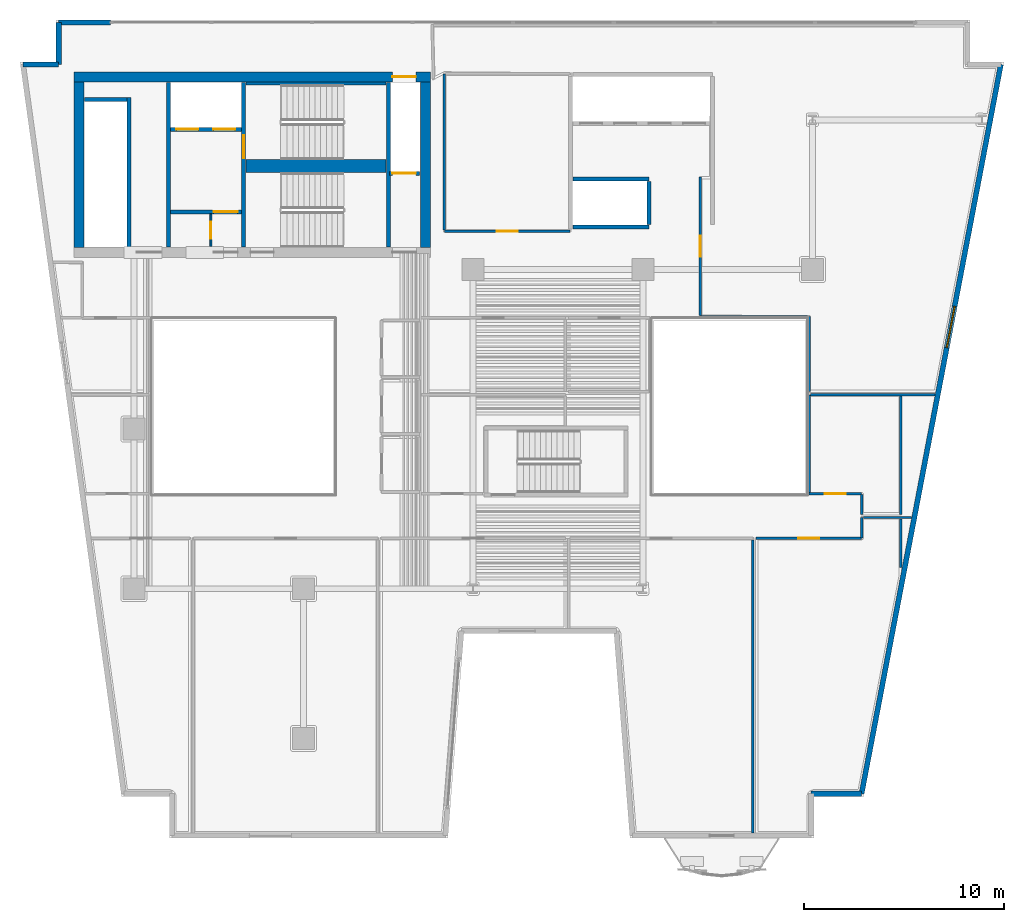
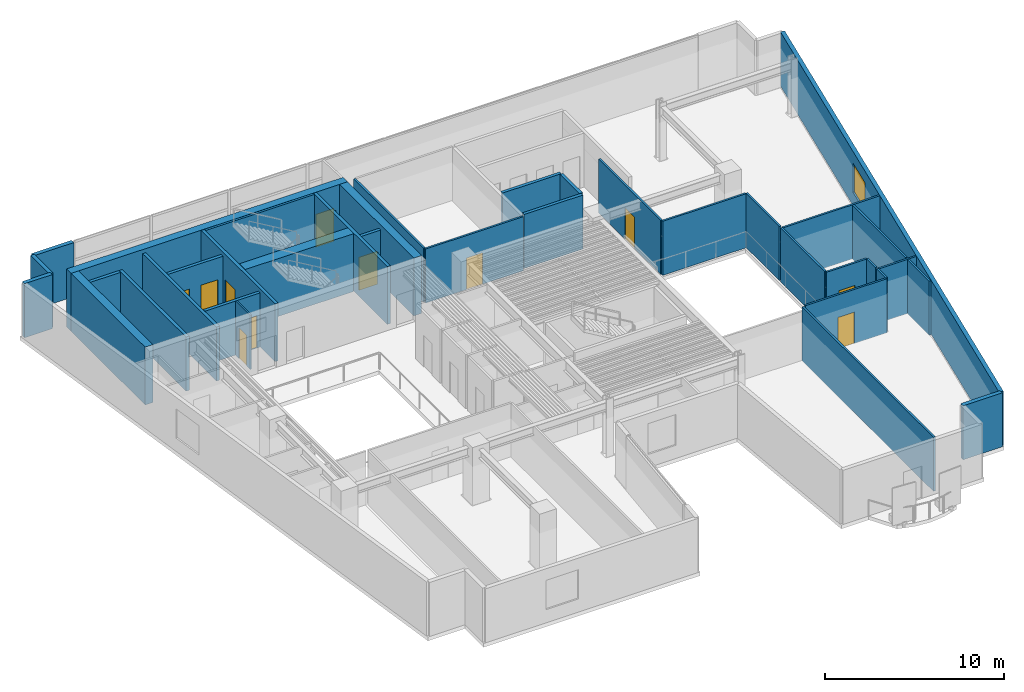
# One storey, part 7 of 13: 37 walls, 11 doors, 1 window, 12 openings.
"""IFC4 building model written with IfcOpenShell, lengths in metres."""

import ifcopenshell
import ifcopenshell.guid

model = None  # the IFC model being written
_history = None  # IfcOwnerHistory: only IFC2X3 demands one
_inside = {}  # id of a spatial element -> (the spatial element, [elements in it])
_under = {}  # id of a project, library or spatial element -> (it, [spatial elements below it])
_declared = {}  # id of a project -> (the project, [libraries it declares])
_typed = {}  # id of a type object -> (the type object, [elements of that type])
_made_of = {}  # id of a material, layer set ... -> (it, [elements and type objects made of it])


def new_model(schema):
    """Start an empty IFC model of exactly this schema.

    Asked for "IFC4X3", IfcOpenShell would pick the latest addendum, in which some entities
    have other attributes; the version numbers below select the first issue.
    IFC2X3 requires an IfcOwnerHistory on every rooted entity: one is made here for all.
    """
    global model, _history
    if schema == "IFC4X3":
        model = ifcopenshell.file(schema_version=(4, 3, 0, 0))
    else:
        model = ifcopenshell.file(schema=schema)
    _inside.clear()
    _under.clear()
    _declared.clear()
    _typed.clear()
    _made_of.clear()
    _history = None
    if model.schema == "IFC2X3":
        org = make("IfcOrganization", Name="unknown")
        user = make(
            "IfcPersonAndOrganization",
            ThePerson=make("IfcPerson", FamilyName="unknown"),
            TheOrganization=org,
        )
        app = make(
            "IfcApplication",
            ApplicationDeveloper=org,
            Version="unknown",
            ApplicationFullName="unknown",
            ApplicationIdentifier="unknown",
        )
        _history = make(
            "IfcOwnerHistory",
            OwningUser=user,
            OwningApplication=app,
            ChangeAction="ADDED",
            CreationDate=0,
        )
    return model


def make(cls, **values):
    """One entity of the class cls with the attributes given. An attribute that is None is left unset."""
    return model.create_entity(
        cls, **{name: value for name, value in values.items() if value is not None}
    )


def rooted(cls, **values):
    """An entity with a GlobalId (a new one), such as an element, a storey or a relation."""
    return make(cls, GlobalId=ifcopenshell.guid.new(), OwnerHistory=_history, **values)


def si_unit(unit_type, name, prefix=None):
    """IfcSIUnit, for example si_unit("LENGTHUNIT", "METRE", prefix="MILLI")."""
    return make("IfcSIUnit", UnitType=unit_type, Prefix=prefix, Name=name)


def assignment(units):
    """IfcUnitAssignment: the units of a project."""
    return None if units is None else make("IfcUnitAssignment", Units=units)


def point(xyz):
    """IfcCartesianPoint."""
    return None if xyz is None else make("IfcCartesianPoint", Coordinates=xyz)


def direction(xyz):
    """IfcDirection."""
    return None if xyz is None else make("IfcDirection", DirectionRatios=xyz)


def frame(location, z_axis=None, x_axis=None):
    """IfcAxis2Placement3D, a coordinate frame: its origin and axes. An axis left out is left unset."""
    return make(
        "IfcAxis2Placement3D",
        Location=point(location),
        Axis=direction(z_axis),
        RefDirection=direction(x_axis),
    )


def frame_2d(location, x_axis=None):
    """IfcAxis2Placement2D, a coordinate frame in the plane: its origin and x axis."""
    return make(
        "IfcAxis2Placement2D", Location=point(location), RefDirection=direction(x_axis)
    )


def origin():
    """The frame at (0, 0, 0) with its axes left unset."""
    return frame((0.0, 0.0, 0.0))


def place(relative_to, where):
    """IfcLocalPlacement: puts the frame where relative to a parent placement (None: the world)."""
    return make(
        "IfcLocalPlacement", PlacementRelTo=relative_to, RelativePlacement=where
    )


def context(
    kind, dimensions, precision=None, world=None, true_north=None, identifier=None
):
    """IfcGeometricRepresentationContext, for example the 3D "Model" context."""
    return make(
        "IfcGeometricRepresentationContext",
        ContextIdentifier=identifier,
        ContextType=kind,
        CoordinateSpaceDimension=dimensions,
        Precision=precision,
        WorldCoordinateSystem=world,
        TrueNorth=true_north,
    )


def subcontext(parent, identifier, kind, view, scale=None):
    """IfcGeometricRepresentationSubContext, for example "Body" below "Model"."""
    return make(
        "IfcGeometricRepresentationSubContext",
        ContextIdentifier=identifier,
        ContextType=kind,
        ParentContext=parent,
        TargetScale=scale,
        TargetView=view,
    )


def project(units=None, contexts=None):
    """IfcProject with its units and contexts."""
    return rooted(
        "IfcProject",
        Name="project",
        RepresentationContexts=contexts,
        UnitsInContext=assignment(units),
    )


def spatial(cls, under=None, at=None, **own):
    """A site, building, storey or space (cls), placed at a placement, below another one or the project."""
    s = rooted(cls, ObjectPlacement=at, **own)
    if under is not None:
        _under.setdefault(under.id(), (under, []))[1].append(s)
    return s


def profile(cls, at=None, kind="AREA", **sizes):
    """A parametric profile (cls). Its sizes go by their IFC names, for example OverallWidth=200.0."""
    return make(cls, ProfileType=kind, Position=at, **sizes)


def rectangle(**sizes):
    """IfcRectangleProfileDef."""
    return profile("IfcRectangleProfileDef", **sizes)


def extrude(swept, where, along, depth):
    """IfcExtrudedAreaSolid: the profile swept, set in the frame where, extruded along a direction by depth."""
    return make(
        "IfcExtrudedAreaSolid",
        SweptArea=swept,
        Position=where,
        ExtrudedDirection=direction(along),
        Depth=depth,
    )


def shape(context_of_items, identifier, shape_type, items):
    """IfcShapeRepresentation: the items that make up one representation, for example the "Body"."""
    return make(
        "IfcShapeRepresentation",
        ContextOfItems=context_of_items,
        RepresentationIdentifier=identifier,
        RepresentationType=shape_type,
        Items=items,
    )


def material(Name=None, Category=None):
    """IfcMaterial."""
    return make("IfcMaterial", Name=Name, Category=Category)


def layer(
    of_material, thickness, ventilated=None, Name=None, Category=None, Priority=None
):
    """IfcMaterialLayer: one layer of a wall or slab, of a material (None: an air gap)."""
    return make(
        "IfcMaterialLayer",
        Material=of_material,
        LayerThickness=thickness,
        IsVentilated=ventilated,
        Name=Name,
        Category=Category,
        Priority=Priority,
    )


def layer_set(layers, Name=None):
    """IfcMaterialLayerSet."""
    return make("IfcMaterialLayerSet", MaterialLayers=layers, LayerSetName=Name)


def made_of(thing, what):
    """Note that an element or type object is made of a material, layer set ...; save() writes the relation."""
    if what is not None:
        _made_of.setdefault(what.id(), (what, []))[1].append(thing)
    return thing


def type_object(cls, material=None, **own):
    """A type object (cls), such as IfcWallType, which elements share."""
    return made_of(rooted(cls, **own), material)


def element(
    cls,
    number,
    at=None,
    inside=None,
    cuts=None,
    type_object=None,
    material=None,
    context=None,
    identifier="Body",
    shape_type=None,
    held_by="IfcProductDefinitionShape",
    body=None,
    shapes=None,
    **own,
):
    """One element of the class cls, such as IfcWall. Its Tag is "e" and its number.

    at: its placement. inside: the storey or other place that contains it. cuts: it is an
    opening in that element (IfcRelVoidsElement). A single representation is given by context,
    identifier, shape_type and body (its items); several are given by shapes. held_by: the class
    of the entity that holds the representations. save() writes the other relations.
    """
    e = rooted(cls, Tag="e%d" % number, ObjectPlacement=at, **own)
    if body is not None:
        shapes = [shape(context, identifier, shape_type, body)]
    if shapes is not None:
        e.Representation = make(held_by, Representations=shapes)
    if inside is not None:
        _inside.setdefault(inside.id(), (inside, []))[1].append(e)
    if cuts is not None:
        rooted(
            "IfcRelVoidsElement", RelatingBuildingElement=cuts, RelatedOpeningElement=e
        )
    if type_object is not None:
        _typed.setdefault(type_object.id(), (type_object, []))[1].append(e)
    return made_of(e, material)


def fill(opening, filler):
    """IfcRelFillsElement: the door or window that sits in an opening."""
    return rooted(
        "IfcRelFillsElement",
        RelatingOpeningElement=opening,
        RelatedBuildingElement=filler,
    )


def aggregate(whole, parts):
    """IfcRelAggregates: a whole, such as a stair, and the parts it consists of."""
    return rooted("IfcRelAggregates", RelatingObject=whole, RelatedObjects=parts)


def save(model, path):
    """Write the relations noted so far, then the file.

    IfcRelAggregates (storeys below a building ...), IfcRelContainedInSpatialStructure (elements
    in a storey), IfcRelDefinesByType, IfcRelAssociatesMaterial and IfcRelDeclares: one each for
    every whole, place, type object, material and project.
    """
    for whole, parts in _under.values():
        aggregate(whole, parts)
    for where, things in _inside.values():
        rooted(
            "IfcRelContainedInSpatialStructure",
            RelatedElements=things,
            RelatingStructure=where,
        )
    for kind, things in _typed.values():
        rooted("IfcRelDefinesByType", RelatedObjects=things, RelatingType=kind)
    for what, things in _made_of.values():
        rooted("IfcRelAssociatesMaterial", RelatedObjects=things, RelatingMaterial=what)
    for by, libraries in _declared.values():
        rooted("IfcRelDeclares", RelatingContext=by, RelatedDefinitions=libraries)
    model.write(path)


model = new_model("IFC4")

# Units and contexts
model_context = context("Model", 3, precision=1e-05, world=origin(), true_north=direction((0.0, 1.0)))
body_context = subcontext(model_context, "Body", "Model", "MODEL_VIEW")
ifc_project = project(units=[si_unit("LENGTHUNIT", "METRE"), si_unit("AREAUNIT", "SQUARE_METRE"), si_unit("VOLUMEUNIT", "CUBIC_METRE"), si_unit("PLANEANGLEUNIT", "RADIAN"), si_unit("MASSUNIT", "GRAM", prefix="KILO")], contexts=[model_context])

# Site, building, storey
site_placement = place(None, origin())
site = spatial("IfcSite", under=ifc_project, at=site_placement, CompositionType="ELEMENT")
building_placement = place(site_placement, origin())
building = spatial("IfcBuilding", under=site, at=building_placement, Name="Caeloran Harvest Quay", CompositionType="ELEMENT")
storey_placement = place(building_placement, frame((0.0, 0.0, 166.699951171875)))
storey = spatial("IfcBuildingStorey", under=building, at=storey_placement, Name="L39", CompositionType="ELEMENT", Elevation=166.699951171875)

# Walls
ifc_material_1 = material(Name="Precast concrete C50/60", Category="concrete")
ifc_layer_1 = layer(ifc_material_1, 0.260009765625, Name="Precast concrete C50/60")
ifc_layer_set_1 = layer_set([ifc_layer_1], Name="Precast concrete C50/60")
wall_type_1 = type_object("IfcWallType", Name="ENV-WALL-EW-260", PredefinedType="STANDARD", material=ifc_layer_set_1)
wall_1_placement = place(storey_placement, frame((2.939697265625, 41.27001953125, 0.0), z_axis=(0.0, 0.0, 1.0), x_axis=(1.0, 0.0, 0.0)))
element("IfcWall", 1, at=wall_1_placement, inside=storey, type_object=wall_type_1, Name="L39 Exterior Precast Concrete Facade Wall 4", PredefinedType="STANDARD", context=body_context, shape_type="SweptSolid", body=[
    extrude(rectangle(XDim=1.790283203125, YDim=0.260009765625, at=frame_2d((0.89501953125, 0.0))), origin(), (0.0, 0.0, 1.0), 3.68994140625),
])
wall_2_placement = place(storey_placement, frame((4.72998046875, 41.27001953125, 0.0), z_axis=(0.0, 0.0, 1.0), x_axis=(0.0, 1.0, 0.0)))
element("IfcWall", 2, at=wall_2_placement, inside=storey, type_object=wall_type_1, Name="L39 Exterior Precast Concrete Facade Wall 5", PredefinedType="STANDARD", context=body_context, shape_type="SweptSolid", body=[
    extrude(rectangle(XDim=2.10009765625, YDim=0.260009765625, at=frame_2d((1.050048828125, 0.0))), origin(), (0.0, 0.0, 1.0), 3.68994140625),
])
wall_3_placement = place(storey_placement, frame((4.72998046875, 43.3701171875, 0.0), z_axis=(0.0, 0.0, 1.0), x_axis=(1.0, 0.0, 0.0)))
element("IfcWall", 3, at=wall_3_placement, inside=storey, type_object=wall_type_1, Name="L39 Exterior Facade Corner Pier Wall 6A", PredefinedType="STANDARD", context=body_context, shape_type="SweptSolid", body=[
    extrude(rectangle(XDim=2.60009765625, YDim=0.260009765625, at=frame_2d((1.300048828125, 0.0))), origin(), (0.0, 0.0, 1.0), 3.68994140625),
])

# Wall, opening, window
wall_4_placement = place(storey_placement, frame((51.94189453125, 41.27001953125, 0.0), z_axis=(0.0, 0.0, 1.0), x_axis=(-0.187592192405, -0.982247000173, 0.0)))
wall_4 = element("IfcWall", 4, at=wall_4_placement, inside=storey, type_object=wall_type_1, Name="L39 Exterior Precast Concrete Facade Wall 9", PredefinedType="STANDARD", context=body_context, shape_type="SweptSolid", body=[
    extrude(rectangle(XDim=37.200439453125, YDim=0.260009765625, at=frame_2d((18.60009765625, 0.0))), origin(), (0.0, 0.0, 1.0), 3.68994140625),
])
opening_1_placement = place(wall_4_placement, frame((12.342041015625, 0.0, 0.89990234375)))
opening_1 = element("IfcOpeningElement", 5, at=opening_1_placement, cuts=wall_4, Name="Opening W-06", PredefinedType="OPENING", context=body_context, shape_type="SweptSolid", body=[
    extrude(rectangle(XDim=2.10009765625, YDim=2.0, at=frame_2d((1.050048828125, 1.0))), frame((0.0, 0.14013671875, 0.0), z_axis=(0.0, -1.0, 0.0), x_axis=(1.0, 0.0, 0.0)), (0.0, 0.0, 1.0), 0.280029296875),
])
ifc_material_2 = material(Name="Aluminium-Framed Low-E Laminated Glass", Category="aluminium")
window_type = type_object("IfcWindowType", Name="WIN-W-06", PartitioningType="DOUBLE_PANEL_VERTICAL", PredefinedType="WINDOW", material=ifc_material_2)
window_placement = place(opening_1_placement, origin())
window = element("IfcWindow", 6, at=window_placement, inside=storey, type_object=window_type, Name="L39 Facade Punched Window W-06", OverallHeight=2.0, OverallWidth=2.10009765625, PartitioningType="DOUBLE_PANEL_VERTICAL", PredefinedType="WINDOW", context=body_context, shape_type="SweptSolid", body=[
    extrude(rectangle(XDim=2.10009765625, YDim=2.0, at=frame_2d((1.050048828125, 1.0))), frame((0.0, 0.030029296875, 0.0), z_axis=(0.0, -1.0, 0.0), x_axis=(1.0, 0.0, 0.0)), (0.0, 0.0, 1.0), 0.06005859375),
])
fill(opening_1, window)

# Wall
wall_5_placement = place(storey_placement, frame((44.96337890625, 4.72998046875, 0.0), z_axis=(0.0, 0.0, 1.0), x_axis=(-1.0, 0.0, 0.0)))
element("IfcWall", 7, at=wall_5_placement, inside=storey, type_object=wall_type_1, Name="L39 Exterior Precast Concrete Facade Wall 10", PredefinedType="STANDARD", context=body_context, shape_type="SweptSolid", body=[
    extrude(rectangle(XDim=2.5234375, YDim=0.260009765625, at=frame_2d((1.26171875, 0.0))), origin(), (0.0, 0.0, 1.0), 3.68994140625),
])

# Wall, opening, door
ifc_material_3 = material(Name="Fire-Resisting Gypsum Core Riser Partition", Category="gypsum")
ifc_layer_2 = layer(ifc_material_3, 0.10009765625, Name="Fire-Resisting Gypsum Core Riser Partition")
ifc_layer_set_2 = layer_set([ifc_layer_2], Name="Fire-Resisting Gypsum Core Riser Partition")
wall_type_2 = type_object("IfcWallType", Name="INT-WALL-PW-100", PredefinedType="PARTITIONING", material=ifc_layer_set_2)
wall_6_placement = place(storey_placement, frame((12.360107421875, 32.159912109375, 0.0), z_axis=(0.0, 0.0, 1.0), x_axis=(0.0, 1.0, 0.0)))
wall_6 = element("IfcWall", 8, at=wall_6_placement, inside=storey, type_object=wall_type_2, Name="L39 Core Store Partition Wall", PredefinedType="PARTITIONING", context=body_context, shape_type="SweptSolid", body=[
    extrude(rectangle(XDim=1.6201171875, YDim=0.10009765625, at=frame_2d((0.81005859375, 0.0))), origin(), (0.0, 0.0, 1.0), 3.68994140625),
])
opening_2_placement = place(wall_6_placement, frame((0.3798828125, 0.0, 0.0)))
opening_2 = element("IfcOpeningElement", 9, at=opening_2_placement, cuts=wall_6, Name="Opening SV-01", PredefinedType="OPENING", context=body_context, shape_type="SweptSolid", body=[
    extrude(rectangle(XDim=0.85009765625, YDim=2.10009765625, at=frame_2d((0.425048828125, 1.050048828125))), frame((0.0, 0.06005859375, 0.0), z_axis=(0.0, -1.0, 0.0), x_axis=(1.0, 0.0, 0.0)), (0.0, 0.0, 1.0), 0.1201171875),
])
ifc_material_4 = material(Name="Galvanized Painted Steel", Category="steel")
door_type_1 = type_object("IfcDoorType", Name="INTDOOR-SV-01", OperationType="NOTDEFINED", PredefinedType="DOOR", material=ifc_material_4)
door_1_placement = place(opening_2_placement, origin())
door_1 = element("IfcDoor", 10, at=door_1_placement, inside=storey, type_object=door_type_1, Name="L39 Core Service Room Access Door", OperationType="SINGLE_SWING_RIGHT", OverallHeight=2.10009765625, OverallWidth=0.85009765625, PredefinedType="DOOR", context=body_context, shape_type="SweptSolid", body=[
    extrude(rectangle(XDim=0.85009765625, YDim=2.10009765625, at=frame_2d((0.425048828125, 1.050048828125))), frame((0.0, 0.02490234375, 0.0), z_axis=(0.0, -1.0, 0.0), x_axis=(1.0, 0.0, 0.0)), (0.0, 0.0, 1.0), 0.050048828125),
])
fill(opening_2, door_1)

ifc_material_5 = material(Name="Twin-Stud Mineral-Wool Acoustic Gypsum Partition", Category="gypsum")
ifc_layer_3 = layer(ifc_material_5, 0.125, Name="Twin-Stud Mineral-Wool Acoustic Gypsum Partition")
ifc_layer_set_3 = layer_set([ifc_layer_3], Name="Twin-Stud Mineral-Wool Acoustic Gypsum Partition")
wall_type_3 = type_object("IfcWallType", Name="INT-WALL-PW-125", PredefinedType="PARTITIONING", material=ifc_layer_set_3)
wall_7_placement = place(storey_placement, frame((30.35009765625, 32.919921875, 0.0), z_axis=(0.0, 0.0, 1.0), x_axis=(-1.0, 0.0, 0.0)))
wall_7 = element("IfcWall", 11, at=wall_7_placement, inside=storey, type_object=wall_type_3, Name="L39 Bioinformatics and Crop Phenotyping Laboratory Partition Wall", PredefinedType="PARTITIONING", context=body_context, shape_type="SweptSolid", body=[
    extrude(rectangle(XDim=6.300048828125, YDim=0.125, at=frame_2d((3.14990234375, 0.0))), origin(), (0.0, 0.0, 1.0), 3.68994140625),
])
opening_3_placement = place(wall_7_placement, frame((2.625, 0.0, 0.0)))
opening_3 = element("IfcOpeningElement", 12, at=opening_3_placement, cuts=wall_7, Name="Opening ID-03", PredefinedType="OPENING", context=body_context, shape_type="SweptSolid", body=[
    extrude(rectangle(XDim=1.050048828125, YDim=2.14990234375, at=frame_2d((0.52490234375, 1.074951171875))), frame((0.0, 0.072509765625, 0.0), z_axis=(0.0, -1.0, 0.0), x_axis=(1.0, 0.0, 0.0)), (0.0, 0.0, 1.0), 0.14501953125),
])
ifc_material_6 = material(Name="FSC Solid-Core Oak Timber Leaf", Category="wood")
door_type_2 = type_object("IfcDoorType", Name="INTDOOR-ID-03", OperationType="NOTDEFINED", PredefinedType="DOOR", material=ifc_material_6)
door_2_placement = place(opening_3_placement, origin())
door_2 = element("IfcDoor", 13, at=door_2_placement, inside=storey, type_object=door_type_2, Name="L39 Bioinformatics and Crop Phenotyping Laboratory Access Door", OperationType="SINGLE_SWING_LEFT", OverallHeight=2.14990234375, OverallWidth=1.050048828125, PredefinedType="DOOR", context=body_context, shape_type="SweptSolid", body=[
    extrude(rectangle(XDim=1.050048828125, YDim=2.14990234375, at=frame_2d((0.52490234375, 1.074951171875))), frame((0.0, 0.02490234375, 0.0), z_axis=(0.0, -1.0, 0.0), x_axis=(1.0, 0.0, 0.0)), (0.0, 0.0, 1.0), 0.050048828125),
])
fill(opening_3, door_2)

# Walls
wall_8_placement = place(storey_placement, frame((24.050048828125, 32.987548828125, 0.0), z_axis=(0.0, 0.0, 1.0), x_axis=(0.0, 1.0, 0.0)))
element("IfcWall", 14, at=wall_8_placement, inside=storey, type_object=wall_type_3, Name="L39 Bioinformatics and Crop Phenotyping Laboratory Partition Wall", PredefinedType="PARTITIONING", context=body_context, shape_type="SweptSolid", body=[
    extrude(rectangle(XDim=7.8125, YDim=0.125, at=frame_2d((3.90625, 0.0))), origin(), (0.0, 0.0, 1.0), 3.68994140625),
])
wall_9_placement = place(storey_placement, frame((39.52001953125, 17.452392578125, 0.0), z_axis=(0.0, 0.0, 1.0), x_axis=(0.0, -1.0, 0.0)))
element("IfcWall", 15, at=wall_9_placement, inside=storey, type_object=wall_type_3, Name="Carbon Credit Seminar Room Partition Wall", PredefinedType="PARTITIONING", context=body_context, shape_type="SweptSolid", body=[
    extrude(rectangle(XDim=14.6875, YDim=0.125, at=frame_2d((7.34375, 0.0))), origin(), (0.0, 0.0, 1.0), 3.68994140625),
])
wall_10_placement = place(storey_placement, frame((44.97998046875, 17.550048828125, 0.0), z_axis=(0.0, 0.0, 1.0), x_axis=(0.0, 1.0, 0.0)))
element("IfcWall", 16, at=wall_10_placement, inside=storey, type_object=wall_type_3, Name="Commodities Briefing Boardroom Partition Wall", PredefinedType="PARTITIONING", context=body_context, shape_type="SweptSolid", body=[
    extrude(rectangle(XDim=1.02001953125, YDim=0.125, at=frame_2d((0.510009765625, 0.0))), origin(), (0.0, 0.0, 1.0), 3.68994140625),
])
wall_11_placement = place(storey_placement, frame((45.047607421875, 18.570068359375, 0.0), z_axis=(0.0, 0.0, 1.0), x_axis=(1.0, 0.0, 0.0)))
element("IfcWall", 17, at=wall_11_placement, inside=storey, type_object=wall_type_3, Name="Commodities Briefing Boardroom Partition Wall", PredefinedType="PARTITIONING", context=body_context, shape_type="SweptSolid", body=[
    extrude(rectangle(XDim=2.421630859375, YDim=0.125, at=frame_2d((1.2109375, 0.0))), origin(), (0.0, 0.0, 1.0), 3.68994140625),
])
wall_12_placement = place(storey_placement, frame((46.919921875, 18.50244140625, 0.0), z_axis=(0.0, 0.0, 1.0), x_axis=(0.0, -1.0, 0.0)))
element("IfcWall", 18, at=wall_12_placement, inside=storey, type_object=wall_type_3, Name="Commodities Briefing Boardroom Partition Wall", PredefinedType="PARTITIONING", context=body_context, shape_type="SweptSolid", body=[
    extrude(rectangle(XDim=2.4375, YDim=0.125, at=frame_2d((1.21875, 0.0))), origin(), (0.0, 0.0, 1.0), 3.68994140625),
])

# Wall, opening, door
wall_13_placement = place(storey_placement, frame((39.679931640625, 17.52001953125, 0.0), z_axis=(0.0, 0.0, 1.0), x_axis=(1.0, 0.0, 0.0)))
wall_13 = element("IfcWall", 19, at=wall_13_placement, inside=storey, type_object=wall_type_3, Name="Commodities Briefing Boardroom Partition Wall", PredefinedType="PARTITIONING", context=body_context, shape_type="SweptSolid", body=[
    extrude(rectangle(XDim=5.27001953125, YDim=0.125, at=frame_2d((2.635009765625, 0.0))), origin(), (0.0, 0.0, 1.0), 3.68994140625),
])
opening_4_placement = place(wall_13_placement, frame((2.110107421875, 0.0, 0.0)))
opening_4 = element("IfcOpeningElement", 20, at=opening_4_placement, cuts=wall_13, Name="Opening ID-03", PredefinedType="OPENING", context=body_context, shape_type="SweptSolid", body=[
    extrude(rectangle(XDim=1.050048828125, YDim=2.14990234375, at=frame_2d((0.52490234375, 1.074951171875))), frame((0.0, 0.072509765625, 0.0), z_axis=(0.0, -1.0, 0.0), x_axis=(1.0, 0.0, 0.0)), (0.0, 0.0, 1.0), 0.14501953125),
])
door_3_placement = place(opening_4_placement, origin())
door_3 = element("IfcDoor", 21, at=door_3_placement, inside=storey, type_object=door_type_2, Name="Commodities Briefing Boardroom Access Door", OperationType="SINGLE_SWING_LEFT", OverallHeight=2.14990234375, OverallWidth=1.050048828125, PredefinedType="DOOR", context=body_context, shape_type="SweptSolid", body=[
    extrude(rectangle(XDim=1.050048828125, YDim=2.14990234375, at=frame_2d((0.52490234375, 1.074951171875))), frame((0.0, 0.02490234375, 0.0), z_axis=(0.0, -1.0, 0.0), x_axis=(1.0, 0.0, 0.0)), (0.0, 0.0, 1.0), 0.050048828125),
])
fill(opening_4, door_3)

wall_14_placement = place(storey_placement, frame((44.949951171875, 19.75, 0.0), z_axis=(0.0, 0.0, 1.0), x_axis=(-1.0, 0.0, 0.0)))
wall_14 = element("IfcWall", 22, at=wall_14_placement, inside=storey, type_object=wall_type_3, Name="Satellite Archive Library Lounge Partition Wall", PredefinedType="PARTITIONING", context=body_context, shape_type="SweptSolid", body=[
    extrude(rectangle(XDim=2.619873046875, YDim=0.125, at=frame_2d((1.31005859375, 0.0))), origin(), (0.0, 0.0, 1.0), 3.68994140625),
])
opening_5_placement = place(wall_14_placement, frame((0.784912109375, 0.0, 0.0)))
opening_5 = element("IfcOpeningElement", 23, at=opening_5_placement, cuts=wall_14, Name="Opening ID-03", PredefinedType="OPENING", context=body_context, shape_type="SweptSolid", body=[
    extrude(rectangle(XDim=1.050048828125, YDim=2.14990234375, at=frame_2d((0.52490234375, 1.074951171875))), frame((0.0, 0.072509765625, 0.0), z_axis=(0.0, -1.0, 0.0), x_axis=(1.0, 0.0, 0.0)), (0.0, 0.0, 1.0), 0.14501953125),
])
door_4_placement = place(opening_5_placement, origin())
door_4 = element("IfcDoor", 24, at=door_4_placement, inside=storey, type_object=door_type_2, Name="Satellite Archive Library Lounge Access Door", OperationType="SINGLE_SWING_RIGHT", OverallHeight=2.14990234375, OverallWidth=1.050048828125, PredefinedType="DOOR", context=body_context, shape_type="SweptSolid", body=[
    extrude(rectangle(XDim=1.050048828125, YDim=2.14990234375, at=frame_2d((0.52490234375, 1.074951171875))), frame((0.0, 0.02490234375, 0.0), z_axis=(0.0, -1.0, 0.0), x_axis=(1.0, 0.0, 0.0)), (0.0, 0.0, 1.0), 0.050048828125),
])
fill(opening_5, door_4)

# Walls
wall_15_placement = place(storey_placement, frame((42.330078125, 19.8173828125, 0.0), z_axis=(0.0, 0.0, 1.0), x_axis=(0.0, 1.0, 0.0)))
element("IfcWall", 25, at=wall_15_placement, inside=storey, type_object=wall_type_3, Name="Satellite Archive Library Lounge Partition Wall", PredefinedType="PARTITIONING", context=body_context, shape_type="SweptSolid", body=[
    extrude(rectangle(XDim=4.902587890625, YDim=0.125, at=frame_2d((2.451171875, 0.0))), origin(), (0.0, 0.0, 1.0), 3.68994140625),
])
wall_16_placement = place(storey_placement, frame((42.3974609375, 24.719970703125, 0.0), z_axis=(0.0, 0.0, 1.0), x_axis=(1.0, 0.0, 0.0)))
element("IfcWall", 26, at=wall_16_placement, inside=storey, type_object=wall_type_3, Name="Satellite Archive Library Lounge Partition Wall", PredefinedType="PARTITIONING", context=body_context, shape_type="SweptSolid", body=[
    extrude(rectangle(XDim=6.246337890625, YDim=0.125, at=frame_2d((3.123046875, 0.0))), origin(), (0.0, 0.0, 1.0), 3.68994140625),
])
wall_17_placement = place(storey_placement, frame((46.919921875, 24.652587890625, 0.0), z_axis=(0.0, 0.0, 1.0), x_axis=(0.0, -1.0, 0.0)))
element("IfcWall", 27, at=wall_17_placement, inside=storey, type_object=wall_type_3, Name="Satellite Archive Library Lounge Partition Wall", PredefinedType="PARTITIONING", context=body_context, shape_type="SweptSolid", body=[
    extrude(rectangle(XDim=5.922607421875, YDim=0.125, at=frame_2d((2.96142578125, 0.0))), origin(), (0.0, 0.0, 1.0), 3.68994140625),
])
wall_18_placement = place(storey_placement, frame((44.97998046875, 18.72998046875, 0.0), z_axis=(0.0, 0.0, 1.0), x_axis=(0.0, 1.0, 0.0)))
element("IfcWall", 28, at=wall_18_placement, inside=storey, type_object=wall_type_3, Name="Satellite Archive Library Lounge Partition Wall", PredefinedType="PARTITIONING", context=body_context, shape_type="SweptSolid", body=[
    extrude(rectangle(XDim=0.989990234375, YDim=0.125, at=frame_2d((0.4951171875, 0.0))), origin(), (0.0, 0.0, 1.0), 3.68994140625),
])
wall_19_placement = place(storey_placement, frame((42.330078125, 24.8798828125, 0.0), z_axis=(0.0, 0.0, 1.0), x_axis=(0.0, 1.0, 0.0)))
element("IfcWall", 29, at=wall_19_placement, inside=storey, type_object=wall_type_3, Name="Hospitality Catering Kitchen 12 Partition Wall", PredefinedType="PARTITIONING", context=body_context, shape_type="SweptSolid", body=[
    extrude(rectangle(XDim=3.75, YDim=0.125, at=frame_2d((1.875, 0.0))), origin(), (0.0, 0.0, 1.0), 3.68994140625),
])
wall_20_placement = place(storey_placement, frame((42.262451171875, 28.6298828125, 0.0), z_axis=(0.0, 0.0, 1.0), x_axis=(-1.0, 0.0, 0.0)))
element("IfcWall", 30, at=wall_20_placement, inside=storey, type_object=wall_type_3, Name="Hospitality Catering Kitchen 12 Partition Wall", PredefinedType="PARTITIONING", context=body_context, shape_type="SweptSolid", body=[
    extrude(rectangle(XDim=5.382568359375, YDim=0.125, at=frame_2d((2.69140625, 0.0))), origin(), (0.0, 0.0, 1.0), 3.68994140625),
])

# Wall, opening, door
wall_21_placement = place(storey_placement, frame((36.8798828125, 28.697509765625, 0.0), z_axis=(0.0, 0.0, 1.0), x_axis=(0.0, 1.0, 0.0)))
wall_21 = element("IfcWall", 31, at=wall_21_placement, inside=storey, type_object=wall_type_3, Name="Hospitality Catering Kitchen 12 Partition Wall", PredefinedType="PARTITIONING", context=body_context, shape_type="SweptSolid", body=[
    extrude(rectangle(XDim=6.922607421875, YDim=0.125, at=frame_2d((3.46142578125, 0.0))), origin(), (0.0, 0.0, 1.0), 3.68994140625),
])
opening_6_placement = place(wall_21_placement, frame((2.936279296875, 0.0, 0.0)))
opening_6 = element("IfcOpeningElement", 32, at=opening_6_placement, cuts=wall_21, Name="Opening ID-03", PredefinedType="OPENING", context=body_context, shape_type="SweptSolid", body=[
    extrude(rectangle(XDim=1.050048828125, YDim=2.14990234375, at=frame_2d((0.52490234375, 1.074951171875))), frame((0.0, 0.072509765625, 0.0), z_axis=(0.0, -1.0, 0.0), x_axis=(1.0, 0.0, 0.0)), (0.0, 0.0, 1.0), 0.14501953125),
])
door_5_placement = place(opening_6_placement, origin())
door_5 = element("IfcDoor", 33, at=door_5_placement, inside=storey, type_object=door_type_2, Name="Hospitality Catering Kitchen 12 Access Door", OperationType="SINGLE_SWING_RIGHT", OverallHeight=2.14990234375, OverallWidth=1.050048828125, PredefinedType="DOOR", context=body_context, shape_type="SweptSolid", body=[
    extrude(rectangle(XDim=1.050048828125, YDim=2.14990234375, at=frame_2d((0.52490234375, 1.074951171875))), frame((0.0, 0.02490234375, 0.0), z_axis=(0.0, -1.0, 0.0), x_axis=(1.0, 0.0, 0.0)), (0.0, 0.0, 1.0), 0.050048828125),
])
fill(opening_6, door_5)

# Walls
ifc_material_7 = material(Name="Concrete C50/60", Category="concrete")
ifc_layer_4 = layer(ifc_material_7, 0.199951171875, Name="Concrete C50/60")
ifc_layer_set_4 = layer_set([ifc_layer_4], Name="Concrete C50/60")
wall_type_4 = type_object("IfcWallType", Name="INT-WALL-SW-200", PredefinedType="PARTITIONING", material=ifc_layer_set_4)
wall_22_placement = place(storey_placement, frame((8.260009765625, 32.1201171875, 0.0), z_axis=(0.0, 0.0, 1.0), x_axis=(0.0, 1.0, 0.0)))
element("IfcWall", 34, at=wall_22_placement, inside=storey, type_object=wall_type_4, Name="L39 Bank 3 Lift Shaft Wall", PredefinedType="PARTITIONING", context=body_context, shape_type="SweptSolid", body=[
    extrude(rectangle(XDim=7.5, YDim=0.199951171875, at=frame_2d((3.75, 0.0))), origin(), (0.0, 0.0, 1.0), 3.68994140625),
])
wall_23_placement = place(storey_placement, frame((6.02001953125, 39.52001953125, 0.0), z_axis=(0.0, 0.0, 1.0), x_axis=(1.0, 0.0, 0.0)))
element("IfcWall", 35, at=wall_23_placement, inside=storey, type_object=wall_type_4, Name="L39 Bank 3 Lift Shaft North End Wall", PredefinedType="PARTITIONING", context=body_context, shape_type="SweptSolid", body=[
    extrude(rectangle(XDim=2.119873046875, YDim=0.199951171875, at=frame_2d((1.06005859375, 0.0))), origin(), (0.0, 0.0, 1.0), 3.68994140625),
])
wall_24_placement = place(storey_placement, frame((10.219970703125, 32.1201171875, 0.0), z_axis=(0.0, 0.0, 1.0), x_axis=(0.0, 1.0, 0.0)))
element("IfcWall", 36, at=wall_24_placement, inside=storey, type_object=wall_type_4, Name="L39 Core Lobby Compartment Wall", PredefinedType="PARTITIONING", context=body_context, shape_type="SweptSolid", body=[
    extrude(rectangle(XDim=8.259765625, YDim=0.199951171875, at=frame_2d((4.1298828125, 0.0))), origin(), (0.0, 0.0, 1.0), 3.68994140625),
])

# Wall, openings, doors
wall_25_placement = place(storey_placement, frame((10.340087890625, 38.02001953125, 0.0), z_axis=(0.0, 0.0, 1.0), x_axis=(1.0, 0.0, 0.0)))
wall_25 = element("IfcWall", 37, at=wall_25_placement, inside=storey, type_object=wall_type_4, Name="L39 Firefighting Lift Shaft Wall", PredefinedType="PARTITIONING", context=body_context, shape_type="SweptSolid", body=[
    extrude(rectangle(XDim=3.539794921875, YDim=0.199951171875, at=frame_2d((1.77001953125, 0.0))), origin(), (0.0, 0.0, 1.0), 3.68994140625),
])
opening_7_placement = place(wall_25_placement, frame((0.284912109375, 0.0, 0.0)))
opening_7 = element("IfcOpeningElement", 38, at=opening_7_placement, cuts=wall_25, Name="Opening LD-01", PredefinedType="OPENING", context=body_context, shape_type="SweptSolid", body=[
    extrude(rectangle(XDim=1.10009765625, YDim=2.199951171875, at=frame_2d((0.550048828125, 1.10009765625))), frame((0.0, 0.10986328125, 0.0), z_axis=(0.0, -1.0, 0.0), x_axis=(1.0, 0.0, 0.0)), (0.0, 0.0, 1.0), 0.219970703125),
])
opening_8_placement = place(wall_25_placement, frame((2.135009765625, 0.0, 0.0)))
opening_8 = element("IfcOpeningElement", 39, at=opening_8_placement, cuts=wall_25, Name="Opening LD-01", PredefinedType="OPENING", context=body_context, shape_type="SweptSolid", body=[
    extrude(rectangle(XDim=1.10009765625, YDim=2.199951171875, at=frame_2d((0.550048828125, 1.10009765625))), frame((0.0, 0.10986328125, 0.0), z_axis=(0.0, -1.0, 0.0), x_axis=(1.0, 0.0, 0.0)), (0.0, 0.0, 1.0), 0.219970703125),
])
ifc_material_8 = material(Name="Stainless Steel Grade 316", Category="steel")
door_type_3 = type_object("IfcDoorType", Name="INTDOOR-LD-01", OperationType="NOTDEFINED", PredefinedType="DOOR", material=ifc_material_8)
door_6_placement = place(opening_7_placement, origin())
door_6 = element("IfcDoor", 40, at=door_6_placement, inside=storey, type_object=door_type_3, Name="Lift FF-1 Sliding Landing Door (L39)", OperationType="DOUBLE_DOOR_SLIDING", OverallHeight=2.199951171875, OverallWidth=1.10009765625, PredefinedType="DOOR", context=body_context, shape_type="SweptSolid", body=[
    extrude(rectangle(XDim=1.10009765625, YDim=2.199951171875, at=frame_2d((0.550048828125, 1.10009765625))), frame((0.0, 0.02490234375, 0.0), z_axis=(0.0, -1.0, 0.0), x_axis=(1.0, 0.0, 0.0)), (0.0, 0.0, 1.0), 0.050048828125),
])
fill(opening_7, door_6)
door_7_placement = place(opening_8_placement, origin())
door_7 = element("IfcDoor", 41, at=door_7_placement, inside=storey, type_object=door_type_3, Name="Lift FF-2 Sliding Landing Door (L39)", OperationType="DOUBLE_DOOR_SLIDING", OverallHeight=2.199951171875, OverallWidth=1.10009765625, PredefinedType="DOOR", context=body_context, shape_type="SweptSolid", body=[
    extrude(rectangle(XDim=1.10009765625, YDim=2.199951171875, at=frame_2d((0.550048828125, 1.10009765625))), frame((0.0, 0.02490234375, 0.0), z_axis=(0.0, -1.0, 0.0), x_axis=(1.0, 0.0, 0.0)), (0.0, 0.0, 1.0), 0.050048828125),
])
fill(opening_8, door_7)

# Wall, opening, door
wall_26_placement = place(storey_placement, frame((10.340087890625, 33.8798828125, 0.0), z_axis=(0.0, 0.0, 1.0), x_axis=(1.0, 0.0, 0.0)))
wall_26 = element("IfcWall", 42, at=wall_26_placement, inside=storey, type_object=wall_type_4, Name="L39 Firefighting Lift Lobby Enclosure Wall", PredefinedType="PARTITIONING", context=body_context, shape_type="SweptSolid", body=[
    extrude(rectangle(XDim=3.559814453125, YDim=0.199951171875, at=frame_2d((1.77978515625, 0.0))), origin(), (0.0, 0.0, 1.0), 3.68994140625),
])
opening_9_placement = place(wall_26_placement, frame((2.14990234375, 0.0, 0.0)))
opening_9 = element("IfcOpeningElement", 43, at=opening_9_placement, cuts=wall_26, Name="Opening FD-01", PredefinedType="OPENING", context=body_context, shape_type="SweptSolid", body=[
    extrude(rectangle(XDim=1.199951171875, YDim=2.199951171875, at=frame_2d((0.60009765625, 1.10009765625))), frame((0.0, 0.10986328125, 0.0), z_axis=(0.0, -1.0, 0.0), x_axis=(1.0, 0.0, 0.0)), (0.0, 0.0, 1.0), 0.219970703125),
])
ifc_material_9 = material(Name="Steel", Category="steel")
door_type_4 = type_object("IfcDoorType", Name="INTDOOR-FD-01", OperationType="NOTDEFINED", PredefinedType="DOOR", material=ifc_material_9)
door_8_placement = place(opening_9_placement, origin())
door_8 = element("IfcDoor", 44, at=door_8_placement, inside=storey, type_object=door_type_4, Name="L39 Firefighting Lift Lobby Smoke-Seal Fire Door", OperationType="SINGLE_SWING_LEFT", OverallHeight=2.199951171875, OverallWidth=1.199951171875, PredefinedType="DOOR", context=body_context, shape_type="SweptSolid", body=[
    extrude(rectangle(XDim=1.199951171875, YDim=2.199951171875, at=frame_2d((0.60009765625, 1.10009765625))), frame((0.0, 0.02490234375, 0.0), z_axis=(0.0, -1.0, 0.0), x_axis=(1.0, 0.0, 0.0)), (0.0, 0.0, 1.0), 0.050048828125),
])
fill(opening_9, door_8)

wall_27_placement = place(storey_placement, frame((21.300048828125, 35.820068359375, 0.0), z_axis=(0.0, 0.0, 1.0), x_axis=(1.0, 0.0, 0.0)))
wall_27 = element("IfcWall", 45, at=wall_27_placement, inside=storey, type_object=wall_type_4, Name="L39 Service Lift SV-2 Shaft Wall", PredefinedType="PARTITIONING", context=body_context, shape_type="SweptSolid", body=[
    extrude(rectangle(XDim=1.5, YDim=0.199951171875, at=frame_2d((0.75, 0.0))), origin(), (0.0, 0.0, 1.0), 3.68994140625),
])
opening_10_placement = place(wall_27_placement, frame((0.14501953125, 0.0, 0.0)))
opening_10 = element("IfcOpeningElement", 46, at=opening_10_placement, cuts=wall_27, Name="Opening LD-02", PredefinedType="OPENING", context=body_context, shape_type="SweptSolid", body=[
    extrude(rectangle(XDim=1.179931640625, YDim=2.25, at=frame_2d((0.58984375, 1.125))), frame((0.0, 0.10986328125, 0.0), z_axis=(0.0, -1.0, 0.0), x_axis=(1.0, 0.0, 0.0)), (0.0, 0.0, 1.0), 0.219970703125),
])
door_type_5 = type_object("IfcDoorType", Name="INTDOOR-LD-02", OperationType="NOTDEFINED", PredefinedType="DOOR", material=ifc_material_8)
door_9_placement = place(opening_10_placement, origin())
door_9 = element("IfcDoor", 47, at=door_9_placement, inside=storey, type_object=door_type_5, Name="Lift SV-2 Sliding Landing Door (L39)", OperationType="DOUBLE_DOOR_SLIDING", OverallHeight=2.25, OverallWidth=1.179931640625, PredefinedType="DOOR", context=body_context, shape_type="SweptSolid", body=[
    extrude(rectangle(XDim=1.179931640625, YDim=2.25, at=frame_2d((0.58984375, 1.125))), frame((0.0, 0.02490234375, 0.0), z_axis=(0.0, -1.0, 0.0), x_axis=(1.0, 0.0, 0.0)), (0.0, 0.0, 1.0), 0.050048828125),
])
fill(opening_10, door_9)

# Walls
for number, where, z_axis, x_axis, name in (
    (48, (30.5, 35.530029296875, 0.0), (0.0, 0.0, 1.0), (1.0, 0.0, 0.0), "L39 Shuttle Lift Landing Front Wall"),
    (49, (30.5, 33.1201171875, 0.0), (0.0, 0.0, 1.0), (1.0, 0.0, 0.0), "L39 Shuttle Lift Shaft South Wall"),
):
    element("IfcWall", number, at=place(storey_placement, frame(where, z_axis=z_axis, x_axis=x_axis)), inside=storey, type_object=wall_type_4, Name=name, PredefinedType="PARTITIONING", context=body_context, shape_type="SweptSolid", body=[
        extrude(rectangle(XDim=3.800048828125, YDim=0.199951171875, at=frame_2d((1.89990234375, 0.0))), origin(), (0.0, 0.0, 1.0), 3.68994140625),
    ])
wall_28_placement = place(storey_placement, frame((34.300048828125, 33.239990234375, 0.0), z_axis=(0.0, 0.0, 1.0), x_axis=(0.0, 1.0, 0.0)))
element("IfcWall", 50, at=wall_28_placement, inside=storey, type_object=wall_type_4, Name="L39 Shuttle Lift Shaft East Wall", PredefinedType="PARTITIONING", context=body_context, shape_type="SweptSolid", body=[
    extrude(rectangle(XDim=2.169921875, YDim=0.199951171875, at=frame_2d((1.0849609375, 0.0))), origin(), (0.0, 0.0, 1.0), 3.68994140625),
])

# Wall, opening, door
ifc_material_10 = material(Name="Concrete C70/85", Category="concrete")
ifc_layer_5 = layer(ifc_material_10, 0.5, Name="Concrete C70/85")
ifc_layer_set_5 = layer_set([ifc_layer_5], Name="Concrete C70/85")
wall_type_5 = type_object("IfcWallType", Name="STR-WALL-CW-500", PredefinedType="SHEAR", material=ifc_layer_set_5)
wall_29_placement = place(storey_placement, frame((5.5, 40.64990234375, 0.0), z_axis=(0.0, 0.0, 1.0), x_axis=(1.0, 0.0, 0.0)))
wall_29 = element("IfcWall", 51, at=wall_29_placement, inside=storey, type_object=wall_type_5, Name="L39 Rear Core Shear Wall N", PredefinedType="SHEAR", context=body_context, shape_type="SweptSolid", body=[
    extrude(rectangle(XDim=17.85009765625, YDim=0.5, at=frame_2d((8.925048828125, 0.0))), origin(), (0.0, 0.0, 1.0), 3.949951171875),
])
opening_11_placement = place(wall_29_placement, frame((15.945068359375, 0.0, 0.0)))
opening_11 = element("IfcOpeningElement", 52, at=opening_11_placement, cuts=wall_29, Name="Opening LD-02", PredefinedType="OPENING", context=body_context, shape_type="SweptSolid", body=[
    extrude(rectangle(XDim=1.179931640625, YDim=2.25, at=frame_2d((0.58984375, 1.125))), frame((0.0, 0.260009765625, 0.0), z_axis=(0.0, -1.0, 0.0), x_axis=(1.0, 0.0, 0.0)), (0.0, 0.0, 1.0), 0.52001953125),
])
door_10_placement = place(opening_11_placement, origin())
door_10 = element("IfcDoor", 53, at=door_10_placement, inside=storey, type_object=door_type_5, Name="Lift SV-1 Sliding Landing Door (L39)", OperationType="DOUBLE_DOOR_SLIDING", OverallHeight=2.25, OverallWidth=1.179931640625, PredefinedType="DOOR", context=body_context, shape_type="SweptSolid", body=[
    extrude(rectangle(XDim=1.179931640625, YDim=2.25, at=frame_2d((0.58984375, 1.125))), frame((0.0, 0.02490234375, 0.0), z_axis=(0.0, -1.0, 0.0), x_axis=(1.0, 0.0, 0.0)), (0.0, 0.0, 1.0), 0.050048828125),
])
fill(opening_11, door_10)

# Walls
for number, where, z_axis, x_axis, name in (
    (54, (5.75, 32.10009765625, 0.0), (0.0, 0.0, 1.0), (0.0, 1.0, 0.0), "L39 Rear Core Shear Wall W"),
    (55, (23.10009765625, 32.10009765625, 0.0), (0.0, 0.0, 1.0), (0.0, 1.0, 0.0), "L39 Rear Core Shear Wall E"),
):
    element("IfcWall", number, at=place(storey_placement, frame(where, z_axis=z_axis, x_axis=x_axis)), inside=storey, type_object=wall_type_5, Name=name, PredefinedType="SHEAR", context=body_context, shape_type="SweptSolid", body=[
        extrude(rectangle(XDim=8.2998046875, YDim=0.5, at=frame_2d((4.14990234375, 0.0))), origin(), (0.0, 0.0, 1.0), 3.949951171875),
    ])
ifc_material_11 = material(Name="Concrete C60/75", Category="concrete")
ifc_layer_6 = layer(ifc_material_11, 0.64990234375, Name="Concrete C60/75")
ifc_layer_set_6 = layer_set([ifc_layer_6], Name="Concrete C60/75")
wall_type_6 = type_object("IfcWallType", Name="STR-WALL-CW-650", PredefinedType="SHEAR", material=ifc_layer_set_6)
wall_30_placement = place(storey_placement, frame((14.1201171875, 36.175048828125, 0.0), z_axis=(0.0, 0.0, 1.0), x_axis=(1.0, 0.0, 0.0)))
element("IfcWall", 56, at=wall_30_placement, inside=storey, type_object=wall_type_6, Name="L39 Core Stairs Dividing Shear Wall", PredefinedType="SHEAR", context=body_context, shape_type="SweptSolid", body=[
    extrude(rectangle(XDim=7.009765625, YDim=0.64990234375, at=frame_2d((3.5048828125, 0.0))), origin(), (0.0, 0.0, 1.0), 3.949951171875),
])
ifc_layer_7 = layer(ifc_material_11, 0.139892578125, Name="Concrete C60/75")
ifc_layer_set_7 = layer_set([ifc_layer_7], Name="Concrete C60/75")
wall_type_7 = type_object("IfcWallType", Name="STR-WALL-SW-140", PredefinedType="SHEAR", material=ifc_layer_set_7)
wall_31_placement = place(storey_placement, frame((14.1201171875, 40.320068359375, 0.0), z_axis=(0.0, 0.0, 1.0), x_axis=(1.0, 0.0, 0.0)))
element("IfcWall", 57, at=wall_31_placement, inside=storey, type_object=wall_type_7, Name="L39 Core Stair ST-C1 North Bearing Shear Wall", PredefinedType="SHEAR", context=body_context, shape_type="SweptSolid", body=[
    extrude(rectangle(XDim=7.009765625, YDim=0.139892578125, at=frame_2d((3.5048828125, 0.0))), origin(), (0.0, 0.0, 1.0), 3.949951171875),
])

# Wall, opening, door
ifc_layer_8 = layer(ifc_material_11, 0.199951171875, Name="Concrete C60/75")
ifc_layer_set_8 = layer_set([ifc_layer_8], Name="Concrete C60/75")
wall_type_8 = type_object("IfcWallType", Name="STR-WALL-SW-200", PredefinedType="SHEAR", material=ifc_layer_set_8)
wall_32_placement = place(storey_placement, frame((14.0, 32.1201171875, 0.0), z_axis=(0.0, 0.0, 1.0), x_axis=(0.0, 1.0, 0.0)))
wall_32 = element("IfcWall", 58, at=wall_32_placement, inside=storey, type_object=wall_type_8, Name="L39 Core Stair Shaft West Shear Wall", PredefinedType="SHEAR", context=body_context, shape_type="SweptSolid", body=[
    extrude(rectangle(XDim=8.259765625, YDim=0.199951171875, at=frame_2d((4.1298828125, 0.0))), origin(), (0.0, 0.0, 1.0), 3.949951171875),
])
opening_12_placement = place(wall_32_placement, frame((4.4599609375, 0.0, 0.0)))
opening_12 = element("IfcOpeningElement", 59, at=opening_12_placement, cuts=wall_32, Name="Opening SD-01", PredefinedType="OPENING", context=body_context, shape_type="SweptSolid", body=[
    extrude(rectangle(XDim=1.14990234375, YDim=2.199951171875, at=frame_2d((0.574951171875, 1.10009765625))), frame((0.0, 0.10986328125, 0.0), z_axis=(0.0, -1.0, 0.0), x_axis=(1.0, 0.0, 0.0)), (0.0, 0.0, 1.0), 0.219970703125),
])
door_type_6 = type_object("IfcDoorType", Name="INTDOOR-SD-01", OperationType="NOTDEFINED", PredefinedType="DOOR", material=ifc_material_9)
door_11_placement = place(opening_12_placement, origin())
door_11 = element("IfcDoor", 60, at=door_11_placement, inside=storey, type_object=door_type_6, Name="L39 Protected Stair ST-C1 Exit Door", OperationType="SINGLE_SWING_LEFT", OverallHeight=2.199951171875, OverallWidth=1.14990234375, PredefinedType="DOOR", context=body_context, shape_type="SweptSolid", body=[
    extrude(rectangle(XDim=1.14990234375, YDim=2.199951171875, at=frame_2d((0.574951171875, 1.10009765625))), frame((0.0, 0.02490234375, 0.0), z_axis=(0.0, -1.0, 0.0), x_axis=(1.0, 0.0, 0.0)), (0.0, 0.0, 1.0), 0.050048828125),
])
fill(opening_12, door_11)

# Wall
wall_33_placement = place(storey_placement, frame((21.25, 32.1201171875, 0.0), z_axis=(0.0, 0.0, 1.0), x_axis=(0.0, 1.0, 0.0)))
element("IfcWall", 61, at=wall_33_placement, inside=storey, type_object=wall_type_8, Name="L39 Core Stair Shaft East Shear Wall", PredefinedType="SHEAR", context=body_context, shape_type="SweptSolid", body=[
    extrude(rectangle(XDim=8.259765625, YDim=0.199951171875, at=frame_2d((4.1298828125, 0.0))), origin(), (0.0, 0.0, 1.0), 3.949951171875),
])

save(model, "model.ifc")
